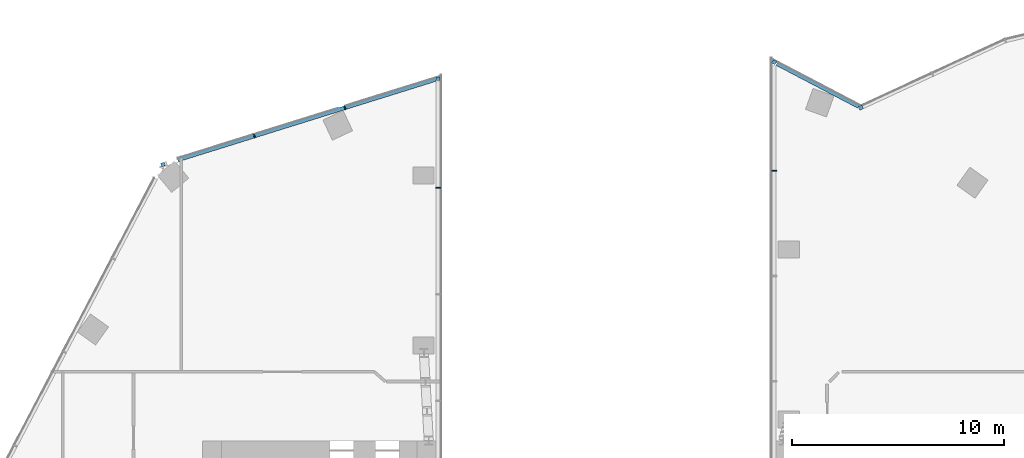
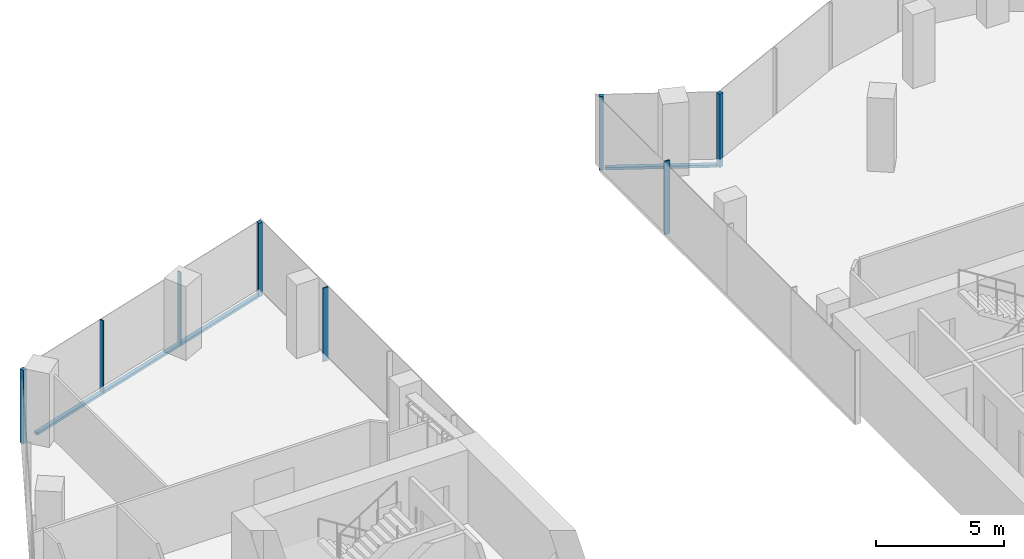
# One storey, part 10 of 23: 10 members, 5 elements without a shape of their own.
"""IFC4 building model written with IfcOpenShell, lengths in metres."""

from ifc_helpers import new_model, si_unit, direction, frame, origin, origin_2d, place, context, subcontext, project, spatial, rectangle, extrude, material, material_profile, profile_set, type_object, element, aggregate, save


model = new_model("IFC4")

# Units and contexts
model_context = context("Model", 3, precision=1e-05, world=origin(), true_north=direction((0.0, 1.0)))
body_context = subcontext(model_context, "Body", "Model", "MODEL_VIEW")
ifc_project = project(units=[si_unit("LENGTHUNIT", "METRE"), si_unit("AREAUNIT", "SQUARE_METRE"), si_unit("VOLUMEUNIT", "CUBIC_METRE"), si_unit("PLANEANGLEUNIT", "RADIAN"), si_unit("MASSUNIT", "GRAM", prefix="KILO")], contexts=[model_context])

# Site, building, storey
site_placement = place(None, origin())
site = spatial("IfcSite", under=ifc_project, at=site_placement, CompositionType="ELEMENT")
building_placement = place(site_placement, origin())
building = spatial("IfcBuilding", under=site, at=building_placement, Name="Orlundy Tower", CompositionType="ELEMENT")
storey_placement = place(building_placement, frame((0.0, 0.0, 260.5)))
storey = spatial("IfcBuildingStorey", under=building, at=storey_placement, Name="L69", CompositionType="ELEMENT", Elevation=260.5)

# Curtain wall, member
ifc_material_1 = material(Name="Aluminium bronze anodised", Category="aluminium")
curtain_wall_type = type_object("IfcCurtainWallType", Name="CW1 wall", PredefinedType="NOTDEFINED", material=ifc_material_1)
curtain_wall_1_placement = place(storey_placement, origin())
curtain_wall_1 = element("IfcCurtainWall", 1, at=curtain_wall_1_placement, inside=storey, type_object=curtain_wall_type, Name="CW1 run 03", PredefinedType="NOTDEFINED")
ifc_material_2 = material(Name="Aluminium bronze anodised", Category="aluminium")
ifc_material_profile_1 = material_profile(ifc_material_2, rectangle(XDim=0.179931640625, YDim=0.179931640625, at=origin_2d()), Name="CW1 corner post 180x180")
ifc_profile_set_1 = profile_set([ifc_material_profile_1], Name="Aluminium bronze anodised")
member_type_1 = type_object("IfcMemberType", Name="CW1 corner post 180x180", PredefinedType="MULLION", material=ifc_profile_set_1)
member_1_placement = place(storey_placement, frame((-20.8623046875, 25.009765625, -0.39990234375), z_axis=(0.0, 0.0, 1.0), x_axis=(-0.297935263894, 0.954586077066, 0.0)))
member_1 = element("IfcMember", 2, at=member_1_placement, type_object=member_type_1, Name="CW1 mullion 13", PredefinedType="MULLION", context=body_context, shape_type="SweptSolid", body=[
    extrude(rectangle(XDim=0.179931640625, YDim=0.179931640625, at=origin_2d()), origin(), (0.0, 0.0, 1.0), 3.5),
])

curtain_wall_2_placement = place(storey_placement, origin())
curtain_wall_2 = element("IfcCurtainWall", 3, at=curtain_wall_2_placement, inside=storey, type_object=curtain_wall_type, Name="CW1 run 04", PredefinedType="NOTDEFINED")
member_2_placement = place(storey_placement, frame((-7.909912109375, 29.052490234375, -0.39990234375), z_axis=(0.0, 0.0, 1.0), x_axis=(1.0, 0.0, 0.0)))
member_2 = element("IfcMember", 4, at=member_2_placement, type_object=member_type_1, Name="CW1 mullion 16", PredefinedType="MULLION", context=body_context, shape_type="SweptSolid", body=[
    extrude(rectangle(XDim=0.179931640625, YDim=0.179931640625, at=origin_2d()), origin(), (0.0, 0.0, 1.0), 3.5),
])

curtain_wall_3_placement = place(storey_placement, origin())
curtain_wall_3 = element("IfcCurtainWall", 5, at=curtain_wall_3_placement, inside=storey, type_object=curtain_wall_type, Name="CW1 run 10", PredefinedType="NOTDEFINED")
member_3_placement = place(storey_placement, frame((11.993408203125, 27.687255859375, -0.39990234375), z_axis=(0.0, 0.0, 1.0), x_axis=(-0.419975748486, 0.907535327513, 0.0)))
member_3 = element("IfcMember", 6, at=member_3_placement, type_object=member_type_1, Name="CW1 mullion 1", PredefinedType="MULLION", context=body_context, shape_type="SweptSolid", body=[
    extrude(rectangle(XDim=0.179931640625, YDim=0.179931640625, at=origin_2d()), origin(), (0.0, 0.0, 1.0), 3.5),
])
aggregate(curtain_wall_3, [member_3])

curtain_wall_4_placement = place(storey_placement, origin())
curtain_wall_4 = element("IfcCurtainWall", 7, at=curtain_wall_4_placement, inside=storey, type_object=curtain_wall_type, Name="CW1 run 119", PredefinedType="NOTDEFINED")
member_4_placement = place(storey_placement, frame((7.909912109375, 29.827880859375, -0.39990234375), z_axis=(0.0, 0.0, 1.0), x_axis=(0.464264043147, 0.885696843305, 0.0)))
member_4 = element("IfcMember", 8, at=member_4_placement, type_object=member_type_1, Name="CW1 mullion 40", PredefinedType="MULLION", context=body_context, shape_type="SweptSolid", body=[
    extrude(rectangle(XDim=0.179931640625, YDim=0.179931640625, at=origin_2d()), origin(), (0.0, 0.0, 1.0), 3.5),
])

# Member
ifc_material_3 = material(Name="Aluminium bronze anodised", Category="aluminium")
ifc_material_profile_2 = material_profile(ifc_material_3, rectangle(XDim=0.179931640625, YDim=0.050048828125, at=origin_2d()), Name="CW1 mullion 50x180")
ifc_profile_set_2 = profile_set([ifc_material_profile_2], Name="Aluminium bronze anodised")
member_type_2 = type_object("IfcMemberType", Name="CW1 mullion 50x180", PredefinedType="MULLION", material=ifc_profile_set_2)
member_5_placement = place(storey_placement, frame((-16.56005859375, 26.3525390625, -0.39990234375), z_axis=(0.0, 0.0, 1.0), x_axis=(-0.297935263894, 0.954586077066, 0.0)))
member_5 = element("IfcMember", 9, at=member_5_placement, type_object=member_type_2, Name="CW1 mullion 14", PredefinedType="MULLION", context=body_context, shape_type="SweptSolid", body=[
    extrude(rectangle(XDim=0.179931640625, YDim=0.050048828125, at=origin_2d()), origin(), (0.0, 0.0, 1.0), 3.5),
])

member_6_placement = place(storey_placement, frame((-12.29345703125, 27.684326171875, -0.39990234375), z_axis=(0.0, 0.0, 1.0), x_axis=(-0.297935263894, 0.954586077066, 0.0)))
member_6 = element("IfcMember", 10, at=member_6_placement, type_object=member_type_2, Name="CW1 mullion 15", PredefinedType="MULLION", context=body_context, shape_type="SweptSolid", body=[
    extrude(rectangle(XDim=0.179931640625, YDim=0.050048828125, at=origin_2d()), origin(), (0.0, 0.0, 1.0), 3.5),
])

ifc_material_4 = material(Name="Aluminium bronze anodised", Category="aluminium")
ifc_material_profile_3 = material_profile(ifc_material_4, rectangle(XDim=0.179931640625, YDim=0.1201171875, at=origin_2d()), Name="CW1 transom 180x120")
ifc_profile_set_3 = profile_set([ifc_material_profile_3], Name="Aluminium bronze anodised")
member_type_3 = type_object("IfcMemberType", Name="CW1 transom 180x120", PredefinedType="USERDEFINED", material=ifc_profile_set_3)
member_7_placement = place(storey_placement, frame((-20.16455078125, 25.2275390625, -0.340087890625), z_axis=(0.95458514702, 0.297938243751, 0.0), x_axis=(-0.297938243751, 0.95458514702, 0.0)))
member_7 = element("IfcMember", 11, at=member_7_placement, type_object=member_type_3, Name="CW1 transom", ObjectType="TRANSOM", PredefinedType="USERDEFINED", context=body_context, shape_type="SweptSolid", body=[
    extrude(rectangle(XDim=0.179931640625, YDim=0.1201171875, at=origin_2d()), origin(), (0.0, 0.0, 1.0), 12.715087890625),
])

aggregate(curtain_wall_1, [member_1, member_5, member_6, member_7])

member_8_placement = place(storey_placement, frame((8.041748046875, 29.7587890625, -0.340087890625), z_axis=(0.88569522936, -0.464267122128, 0.0), x_axis=(0.464267122128, 0.88569522936, 0.0)))
member_8 = element("IfcMember", 12, at=member_8_placement, type_object=member_type_3, Name="CW1 transom", ObjectType="TRANSOM", PredefinedType="USERDEFINED", context=body_context, shape_type="SweptSolid", body=[
    extrude(rectangle(XDim=0.179931640625, YDim=0.1201171875, at=origin_2d()), origin(), (0.0, 0.0, 1.0), 4.348388671875),
])

aggregate(curtain_wall_4, [member_4, member_8])

ifc_material_5 = material(Name="Aluminium bronze anodised", Category="aluminium")
ifc_material_profile_4 = material_profile(ifc_material_5, rectangle(XDim=0.239990234375, YDim=0.050048828125, at=origin_2d()), Name="CW6 mullion 50x240")
ifc_profile_set_4 = profile_set([ifc_material_profile_4], Name="Aluminium bronze anodised")
member_type_4 = type_object("IfcMemberType", Name="CW6 mullion 50x240", PredefinedType="MULLION", material=ifc_profile_set_4)
member_9_placement = place(storey_placement, frame((-7.909912109375, 23.919189453125, -0.39990234375), z_axis=(0.0, 0.0, 1.0), x_axis=(1.0, 0.0, 0.0)))
member_9 = element("IfcMember", 13, at=member_9_placement, type_object=member_type_4, Name="CW6 mullion 17", PredefinedType="MULLION", context=body_context, shape_type="SweptSolid", body=[
    extrude(rectangle(XDim=0.239990234375, YDim=0.050048828125, at=origin_2d()), origin(), (0.0, 0.0, 1.0), 3.5),
])

aggregate(curtain_wall_2, [member_2, member_9])

# Curtain wall, member
curtain_wall_5_placement = place(storey_placement, origin())
curtain_wall_5 = element("IfcCurtainWall", 14, at=curtain_wall_5_placement, inside=storey, type_object=curtain_wall_type, Name="CW1 run 118", PredefinedType="NOTDEFINED")
member_10_placement = place(storey_placement, frame((7.909912109375, 24.72216796875, -0.39990234375), z_axis=(0.0, 0.0, 1.0), x_axis=(-1.0, 0.0, 0.0)))
member_10 = element("IfcMember", 15, at=member_10_placement, type_object=member_type_4, Name="CW6 mullion 39", PredefinedType="MULLION", context=body_context, shape_type="SweptSolid", body=[
    extrude(rectangle(XDim=0.239990234375, YDim=0.050048828125, at=origin_2d()), origin(), (0.0, 0.0, 1.0), 3.5),
])
aggregate(curtain_wall_5, [member_10])

save(model, "model.ifc")
